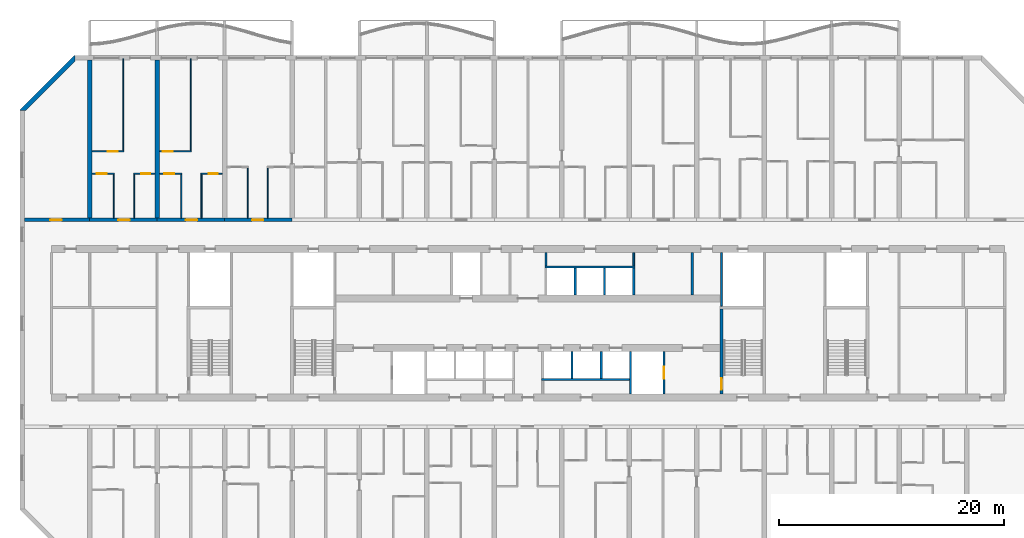
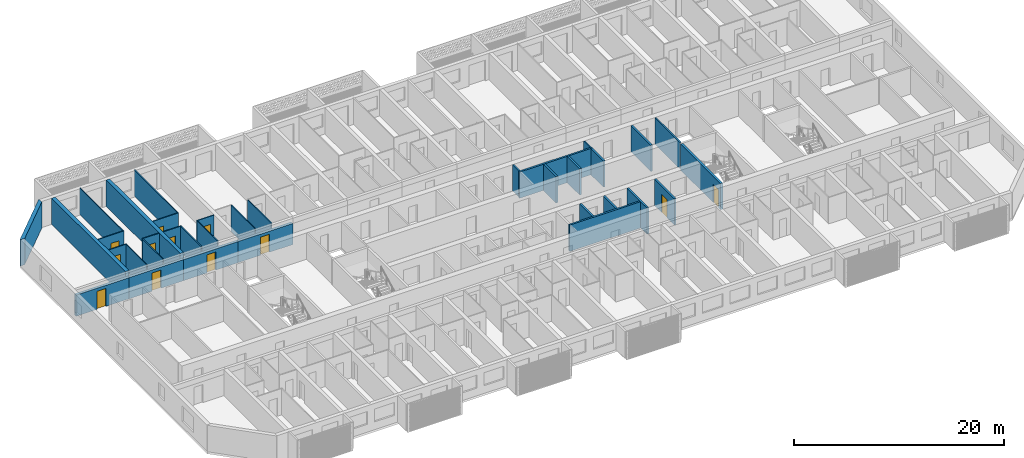
# One storey, part 9 of 39: 35 walls, 12 doors, 12 openings.
"""IFC4 building model written with IfcOpenShell, lengths in metres."""

import ifcopenshell
import ifcopenshell.guid

model = None  # the IFC model being written
_history = None  # IfcOwnerHistory: only IFC2X3 demands one
_inside = {}  # id of a spatial element -> (the spatial element, [elements in it])
_under = {}  # id of a project, library or spatial element -> (it, [spatial elements below it])
_declared = {}  # id of a project -> (the project, [libraries it declares])
_typed = {}  # id of a type object -> (the type object, [elements of that type])
_made_of = {}  # id of a material, layer set ... -> (it, [elements and type objects made of it])


def new_model(schema):
    """Start an empty IFC model of exactly this schema.

    Asked for "IFC4X3", IfcOpenShell would pick the latest addendum, in which some entities
    have other attributes; the version numbers below select the first issue.
    IFC2X3 requires an IfcOwnerHistory on every rooted entity: one is made here for all.
    """
    global model, _history
    if schema == "IFC4X3":
        model = ifcopenshell.file(schema_version=(4, 3, 0, 0))
    else:
        model = ifcopenshell.file(schema=schema)
    _inside.clear()
    _under.clear()
    _declared.clear()
    _typed.clear()
    _made_of.clear()
    _history = None
    if model.schema == "IFC2X3":
        org = make("IfcOrganization", Name="unknown")
        user = make(
            "IfcPersonAndOrganization",
            ThePerson=make("IfcPerson", FamilyName="unknown"),
            TheOrganization=org,
        )
        app = make(
            "IfcApplication",
            ApplicationDeveloper=org,
            Version="unknown",
            ApplicationFullName="unknown",
            ApplicationIdentifier="unknown",
        )
        _history = make(
            "IfcOwnerHistory",
            OwningUser=user,
            OwningApplication=app,
            ChangeAction="ADDED",
            CreationDate=0,
        )
    return model


def make(cls, **values):
    """One entity of the class cls with the attributes given. An attribute that is None is left unset."""
    return model.create_entity(
        cls, **{name: value for name, value in values.items() if value is not None}
    )


def rooted(cls, **values):
    """An entity with a GlobalId (a new one), such as an element, a storey or a relation."""
    return make(cls, GlobalId=ifcopenshell.guid.new(), OwnerHistory=_history, **values)


def si_unit(unit_type, name, prefix=None):
    """IfcSIUnit, for example si_unit("LENGTHUNIT", "METRE", prefix="MILLI")."""
    return make("IfcSIUnit", UnitType=unit_type, Prefix=prefix, Name=name)


def assignment(units):
    """IfcUnitAssignment: the units of a project."""
    return None if units is None else make("IfcUnitAssignment", Units=units)


def point(xyz):
    """IfcCartesianPoint."""
    return None if xyz is None else make("IfcCartesianPoint", Coordinates=xyz)


def direction(xyz):
    """IfcDirection."""
    return None if xyz is None else make("IfcDirection", DirectionRatios=xyz)


def frame(location, z_axis=None, x_axis=None):
    """IfcAxis2Placement3D, a coordinate frame: its origin and axes. An axis left out is left unset."""
    return make(
        "IfcAxis2Placement3D",
        Location=point(location),
        Axis=direction(z_axis),
        RefDirection=direction(x_axis),
    )


def frame_2d(location, x_axis=None):
    """IfcAxis2Placement2D, a coordinate frame in the plane: its origin and x axis."""
    return make(
        "IfcAxis2Placement2D", Location=point(location), RefDirection=direction(x_axis)
    )


def origin():
    """The frame at (0, 0, 0) with its axes left unset."""
    return frame((0.0, 0.0, 0.0))


def place(relative_to, where):
    """IfcLocalPlacement: puts the frame where relative to a parent placement (None: the world)."""
    return make(
        "IfcLocalPlacement", PlacementRelTo=relative_to, RelativePlacement=where
    )


def context(
    kind, dimensions, precision=None, world=None, true_north=None, identifier=None
):
    """IfcGeometricRepresentationContext, for example the 3D "Model" context."""
    return make(
        "IfcGeometricRepresentationContext",
        ContextIdentifier=identifier,
        ContextType=kind,
        CoordinateSpaceDimension=dimensions,
        Precision=precision,
        WorldCoordinateSystem=world,
        TrueNorth=true_north,
    )


def subcontext(parent, identifier, kind, view, scale=None):
    """IfcGeometricRepresentationSubContext, for example "Body" below "Model"."""
    return make(
        "IfcGeometricRepresentationSubContext",
        ContextIdentifier=identifier,
        ContextType=kind,
        ParentContext=parent,
        TargetScale=scale,
        TargetView=view,
    )


def project(units=None, contexts=None):
    """IfcProject with its units and contexts."""
    return rooted(
        "IfcProject",
        Name="project",
        RepresentationContexts=contexts,
        UnitsInContext=assignment(units),
    )


def spatial(cls, under=None, at=None, **own):
    """A site, building, storey or space (cls), placed at a placement, below another one or the project."""
    s = rooted(cls, ObjectPlacement=at, **own)
    if under is not None:
        _under.setdefault(under.id(), (under, []))[1].append(s)
    return s


def polyline(points):
    """IfcPolyline through the points."""
    return make("IfcPolyline", Points=[point(p) for p in points])


def profile(cls, at=None, kind="AREA", **sizes):
    """A parametric profile (cls). Its sizes go by their IFC names, for example OverallWidth=200.0."""
    return make(cls, ProfileType=kind, Position=at, **sizes)


def rectangle(**sizes):
    """IfcRectangleProfileDef."""
    return profile("IfcRectangleProfileDef", **sizes)


def outline(outer, holes=None, kind="AREA"):
    """IfcArbitraryClosedProfileDef: a profile drawn as a closed curve; with holes, ...WithVoids."""
    if holes is None:
        return make("IfcArbitraryClosedProfileDef", ProfileType=kind, OuterCurve=outer)
    return make(
        "IfcArbitraryProfileDefWithVoids",
        ProfileType=kind,
        OuterCurve=outer,
        InnerCurves=holes,
    )


def extrude(swept, where, along, depth):
    """IfcExtrudedAreaSolid: the profile swept, set in the frame where, extruded along a direction by depth."""
    return make(
        "IfcExtrudedAreaSolid",
        SweptArea=swept,
        Position=where,
        ExtrudedDirection=direction(along),
        Depth=depth,
    )


def shape(context_of_items, identifier, shape_type, items):
    """IfcShapeRepresentation: the items that make up one representation, for example the "Body"."""
    return make(
        "IfcShapeRepresentation",
        ContextOfItems=context_of_items,
        RepresentationIdentifier=identifier,
        RepresentationType=shape_type,
        Items=items,
    )


def material(Name=None, Category=None):
    """IfcMaterial."""
    return make("IfcMaterial", Name=Name, Category=Category)


def layer(
    of_material, thickness, ventilated=None, Name=None, Category=None, Priority=None
):
    """IfcMaterialLayer: one layer of a wall or slab, of a material (None: an air gap)."""
    return make(
        "IfcMaterialLayer",
        Material=of_material,
        LayerThickness=thickness,
        IsVentilated=ventilated,
        Name=Name,
        Category=Category,
        Priority=Priority,
    )


def layer_set(layers, Name=None):
    """IfcMaterialLayerSet."""
    return make("IfcMaterialLayerSet", MaterialLayers=layers, LayerSetName=Name)


def made_of(thing, what):
    """Note that an element or type object is made of a material, layer set ...; save() writes the relation."""
    if what is not None:
        _made_of.setdefault(what.id(), (what, []))[1].append(thing)
    return thing


def type_object(cls, material=None, **own):
    """A type object (cls), such as IfcWallType, which elements share."""
    return made_of(rooted(cls, **own), material)


def element(
    cls,
    number,
    at=None,
    inside=None,
    cuts=None,
    type_object=None,
    material=None,
    context=None,
    identifier="Body",
    shape_type=None,
    held_by="IfcProductDefinitionShape",
    body=None,
    shapes=None,
    **own,
):
    """One element of the class cls, such as IfcWall. Its Tag is "e" and its number.

    at: its placement. inside: the storey or other place that contains it. cuts: it is an
    opening in that element (IfcRelVoidsElement). A single representation is given by context,
    identifier, shape_type and body (its items); several are given by shapes. held_by: the class
    of the entity that holds the representations. save() writes the other relations.
    """
    e = rooted(cls, Tag="e%d" % number, ObjectPlacement=at, **own)
    if body is not None:
        shapes = [shape(context, identifier, shape_type, body)]
    if shapes is not None:
        e.Representation = make(held_by, Representations=shapes)
    if inside is not None:
        _inside.setdefault(inside.id(), (inside, []))[1].append(e)
    if cuts is not None:
        rooted(
            "IfcRelVoidsElement", RelatingBuildingElement=cuts, RelatedOpeningElement=e
        )
    if type_object is not None:
        _typed.setdefault(type_object.id(), (type_object, []))[1].append(e)
    return made_of(e, material)


def fill(opening, filler):
    """IfcRelFillsElement: the door or window that sits in an opening."""
    return rooted(
        "IfcRelFillsElement",
        RelatingOpeningElement=opening,
        RelatedBuildingElement=filler,
    )


def aggregate(whole, parts):
    """IfcRelAggregates: a whole, such as a stair, and the parts it consists of."""
    return rooted("IfcRelAggregates", RelatingObject=whole, RelatedObjects=parts)


def save(model, path):
    """Write the relations noted so far, then the file.

    IfcRelAggregates (storeys below a building ...), IfcRelContainedInSpatialStructure (elements
    in a storey), IfcRelDefinesByType, IfcRelAssociatesMaterial and IfcRelDeclares: one each for
    every whole, place, type object, material and project.
    """
    for whole, parts in _under.values():
        aggregate(whole, parts)
    for where, things in _inside.values():
        rooted(
            "IfcRelContainedInSpatialStructure",
            RelatedElements=things,
            RelatingStructure=where,
        )
    for kind, things in _typed.values():
        rooted("IfcRelDefinesByType", RelatedObjects=things, RelatingType=kind)
    for what, things in _made_of.values():
        rooted("IfcRelAssociatesMaterial", RelatedObjects=things, RelatingMaterial=what)
    for by, libraries in _declared.values():
        rooted("IfcRelDeclares", RelatingContext=by, RelatedDefinitions=libraries)
    model.write(path)


model = new_model("IFC4")

# Units and contexts
model_context = context("Model", 3, precision=1e-05, world=origin(), true_north=direction((0.0, 1.0)))
body_context = subcontext(model_context, "Body", "Model", "MODEL_VIEW")
ifc_project = project(units=[si_unit("LENGTHUNIT", "METRE"), si_unit("AREAUNIT", "SQUARE_METRE"), si_unit("VOLUMEUNIT", "CUBIC_METRE"), si_unit("PLANEANGLEUNIT", "RADIAN"), si_unit("MASSUNIT", "GRAM", prefix="KILO")], contexts=[model_context])

# Site, building, storey
site_placement = place(None, origin())
site = spatial("IfcSite", under=ifc_project, at=site_placement, CompositionType="ELEMENT")
building_placement = place(site_placement, origin())
building = spatial("IfcBuilding", under=site, at=building_placement, Name="Poui Terraces", CompositionType="ELEMENT")
storey_placement = place(building_placement, frame((0.0, 0.0, 59.699951171875)))
storey = spatial("IfcBuildingStorey", under=building, at=storey_placement, Name="L16", CompositionType="ELEMENT", Elevation=59.699951171875)

# Wall
ifc_material_1 = material(Name="Fire-rated plasterboard wall")
ifc_layer_1 = layer(ifc_material_1, 0.14990234375)
ifc_layer_set_1 = layer_set([ifc_layer_1], Name="Fire-rated plasterboard wall")
wall_type_1 = type_object("IfcWallType", Name="CORRIDOR WALL 150", PredefinedType="PARTITIONING", material=ifc_layer_set_1)
wall_1_placement = place(storey_placement, frame((52.60009765625, 26.300048828125, 0.0), z_axis=(0.0, 0.0, 1.0), x_axis=(0.0, 1.0, 0.0)))
element("IfcWall", 1, at=wall_1_placement, inside=storey, type_object=wall_type_1, Name="CORRIDOR WALL 150", PredefinedType="PARTITIONING", context=body_context, shape_type="SweptSolid", body=[
    extrude(rectangle(XDim=1.18994140625, YDim=0.14990234375, at=frame_2d((0.594970703125, 0.0))), origin(), (0.0, 0.0, 1.0), 3.050048828125),
])

# Wall, opening, door
ifc_material_2 = material(Name="Concrete 80 MPa", Category="concrete")
ifc_layer_2 = layer(ifc_material_2, 0.300048828125)
ifc_layer_set_2 = layer_set([ifc_layer_2], Name="Concrete 80 MPa")
wall_type_2 = type_object("IfcWallType", Name="CORRIDOR WALL 300 80MPa", PredefinedType="SHEAR", material=ifc_layer_set_2)
wall_2_placement = place(storey_placement, frame((6.199951171875, 30.39990234375, 0.0), z_axis=(0.0, 0.0, 1.0), x_axis=(1.0, 0.0, 0.0)))
wall_2 = element("IfcWall", 2, at=wall_2_placement, inside=storey, type_object=wall_type_2, Name="CORRIDOR WALL LINE E BAY 1", PredefinedType="SHEAR", context=body_context, shape_type="SweptSolid", body=[
    extrude(rectangle(XDim=5.800048828125, YDim=0.300048828125, at=frame_2d((2.89990234375, 0.0))), origin(), (0.0, 0.0, 1.0), 2.449951171875),
])
opening_1_placement = place(wall_2_placement, frame((2.300048828125, 0.0, 0.0)))
opening_1 = element("IfcOpeningElement", 3, at=opening_1_placement, cuts=wall_2, Name="Opening D100", PredefinedType="OPENING", context=body_context, shape_type="SweptSolid", body=[
    extrude(rectangle(XDim=1.0, YDim=2.10009765625, at=frame_2d((0.5, 1.050048828125))), frame((0.0, 0.16015625, 0.0), z_axis=(0.0, -1.0, 0.0), x_axis=(1.0, 0.0, 0.0)), (0.0, 0.0, 1.0), 0.320068359375),
])
ifc_material_3 = material(Name="Solid core timber door", Category="wood")
door_type_1 = type_object("IfcDoorType", Name="ACCESSIBLE INTERNAL DOOR 1000 X 2100", OperationType="NOTDEFINED", PredefinedType="DOOR", material=ifc_material_3)
door_1_placement = place(opening_1_placement, origin())
door_1 = element("IfcDoor", 4, at=door_1_placement, inside=storey, type_object=door_type_1, Name="ACCESSIBLE INTERNAL DOOR 032", OperationType="SINGLE_SWING_LEFT", OverallHeight=2.10009765625, OverallWidth=1.0, PredefinedType="DOOR", context=body_context, shape_type="SweptSolid", body=[
    extrude(rectangle(XDim=1.0, YDim=2.10009765625, at=frame_2d((0.5, 1.050048828125))), frame((0.0, 0.02490234375, 0.0), z_axis=(0.0, -1.0, 0.0), x_axis=(1.0, 0.0, 0.0)), (0.0, 0.0, 1.0), 0.050048828125),
])
fill(opening_1, door_1)

wall_3_placement = place(storey_placement, frame((12.0, 30.39990234375, 0.0), z_axis=(0.0, 0.0, 1.0), x_axis=(1.0, 0.0, 0.0)))
wall_3 = element("IfcWall", 5, at=wall_3_placement, inside=storey, type_object=wall_type_2, Name="CORRIDOR WALL LINE E BAY 2", PredefinedType="SHEAR", context=body_context, shape_type="SweptSolid", body=[
    extrude(rectangle(XDim=6.0, YDim=0.300048828125, at=frame_2d((3.0, 0.0))), origin(), (0.0, 0.0, 1.0), 2.449951171875),
])
opening_2_placement = place(wall_3_placement, frame((2.550048828125, 0.0, 0.0)))
opening_2 = element("IfcOpeningElement", 6, at=opening_2_placement, cuts=wall_3, Name="Opening FD30S", PredefinedType="OPENING", context=body_context, shape_type="SweptSolid", body=[
    extrude(rectangle(XDim=1.0, YDim=2.10009765625, at=frame_2d((0.5, 1.050048828125))), frame((0.0, 0.16015625, 0.0), z_axis=(0.0, -1.0, 0.0), x_axis=(1.0, 0.0, 0.0)), (0.0, 0.0, 1.0), 0.320068359375),
])
ifc_material_4 = material(Name="Steel fire door", Category="steel")
door_type_2 = type_object("IfcDoorType", Name="FLAT ENTRANCE DOOR 1000 X 2100", OperationType="NOTDEFINED", PredefinedType="DOOR", material=ifc_material_4)
door_2_placement = place(opening_2_placement, origin())
door_2 = element("IfcDoor", 7, at=door_2_placement, inside=storey, type_object=door_type_2, Name="FLAT ENTRANCE DOOR 035", OperationType="SINGLE_SWING_RIGHT", OverallHeight=2.10009765625, OverallWidth=1.0, PredefinedType="DOOR", context=body_context, shape_type="SweptSolid", body=[
    extrude(rectangle(XDim=1.0, YDim=2.10009765625, at=frame_2d((0.5, 1.050048828125))), frame((0.0, 0.02490234375, 0.0), z_axis=(0.0, -1.0, 0.0), x_axis=(1.0, 0.0, 0.0)), (0.0, 0.0, 1.0), 0.050048828125),
])
fill(opening_2, door_2)

wall_4_placement = place(storey_placement, frame((18.0, 30.39990234375, 0.0), z_axis=(0.0, 0.0, 1.0), x_axis=(1.0, 0.0, 0.0)))
wall_4 = element("IfcWall", 8, at=wall_4_placement, inside=storey, type_object=wall_type_2, Name="CORRIDOR WALL LINE E BAY 3", PredefinedType="SHEAR", context=body_context, shape_type="SweptSolid", body=[
    extrude(rectangle(XDim=6.0, YDim=0.300048828125, at=frame_2d((3.0, 0.0))), origin(), (0.0, 0.0, 1.0), 2.449951171875),
])
opening_3_placement = place(wall_4_placement, frame((2.550048828125, 0.0, 0.0)))
opening_3 = element("IfcOpeningElement", 9, at=opening_3_placement, cuts=wall_4, Name="Opening FD30S", PredefinedType="OPENING", context=body_context, shape_type="SweptSolid", body=[
    extrude(rectangle(XDim=1.0, YDim=2.10009765625, at=frame_2d((0.5, 1.050048828125))), frame((0.0, 0.16015625, 0.0), z_axis=(0.0, -1.0, 0.0), x_axis=(1.0, 0.0, 0.0)), (0.0, 0.0, 1.0), 0.320068359375),
])
door_3_placement = place(opening_3_placement, origin())
door_3 = element("IfcDoor", 10, at=door_3_placement, inside=storey, type_object=door_type_2, Name="FLAT ENTRANCE DOOR 039", OperationType="SINGLE_SWING_RIGHT", OverallHeight=2.10009765625, OverallWidth=1.0, PredefinedType="DOOR", context=body_context, shape_type="SweptSolid", body=[
    extrude(rectangle(XDim=1.0, YDim=2.10009765625, at=frame_2d((0.5, 1.050048828125))), frame((0.0, 0.02490234375, 0.0), z_axis=(0.0, -1.0, 0.0), x_axis=(1.0, 0.0, 0.0)), (0.0, 0.0, 1.0), 0.050048828125),
])
fill(opening_3, door_3)

wall_5_placement = place(storey_placement, frame((24.0, 30.39990234375, 0.0), z_axis=(0.0, 0.0, 1.0), x_axis=(1.0, 0.0, 0.0)))
wall_5 = element("IfcWall", 11, at=wall_5_placement, inside=storey, type_object=wall_type_2, Name="CORRIDOR WALL LINE E BAY 4", PredefinedType="SHEAR", context=body_context, shape_type="SweptSolid", body=[
    extrude(rectangle(XDim=6.0, YDim=0.300048828125, at=frame_2d((3.0, 0.0))), origin(), (0.0, 0.0, 1.0), 2.449951171875),
])
opening_4_placement = place(wall_5_placement, frame((2.449951171875, 0.0, 0.0)))
opening_4 = element("IfcOpeningElement", 12, at=opening_4_placement, cuts=wall_5, Name="Opening FD30S", PredefinedType="OPENING", context=body_context, shape_type="SweptSolid", body=[
    extrude(rectangle(XDim=1.0, YDim=2.10009765625, at=frame_2d((0.5, 1.050048828125))), frame((0.0, 0.16015625, 0.0), z_axis=(0.0, -1.0, 0.0), x_axis=(1.0, 0.0, 0.0)), (0.0, 0.0, 1.0), 0.320068359375),
])
door_4_placement = place(opening_4_placement, origin())
door_4 = element("IfcDoor", 13, at=door_4_placement, inside=storey, type_object=door_type_2, Name="FLAT ENTRANCE DOOR 043", OperationType="SINGLE_SWING_LEFT", OverallHeight=2.10009765625, OverallWidth=1.0, PredefinedType="DOOR", context=body_context, shape_type="SweptSolid", body=[
    extrude(rectangle(XDim=1.0, YDim=2.10009765625, at=frame_2d((0.5, 1.050048828125))), frame((0.0, 0.02490234375, 0.0), z_axis=(0.0, -1.0, 0.0), x_axis=(1.0, 0.0, 0.0)), (0.0, 0.0, 1.0), 0.050048828125),
])
fill(opening_4, door_4)

# Walls
ifc_layer_3 = layer(ifc_material_2, 0.39990234375)
ifc_layer_set_3 = layer_set([ifc_layer_3], Name="Concrete 80 MPa")
wall_type_3 = type_object("IfcWallType", Name="CROSS WALL 400 80MPa", PredefinedType="SHEAR", material=ifc_layer_set_3)
for number, where, z_axis, x_axis, name in (
    (14, (12.0, 30.550048828125, 0.0), (0.0, 0.0, 1.0), (0.0, 1.0, 0.0), "CROSS WALL LINE 3 NORTH"),
    (15, (18.0, 30.550048828125, 0.0), (0.0, 0.0, 1.0), (0.0, 1.0, 0.0), "CROSS WALL LINE 4 NORTH"),
):
    element("IfcWall", number, at=place(storey_placement, frame(where, z_axis=z_axis, x_axis=x_axis)), inside=storey, type_object=wall_type_3, Name=name, PredefinedType="SHEAR", context=body_context, shape_type="SweptSolid", body=[
        extrude(rectangle(XDim=14.050048828125, YDim=0.39990234375, at=frame_2d((7.02490234375, 0.0))), origin(), (0.0, 0.0, 1.0), 3.050048828125),
    ])

# Wall, opening, door
ifc_material_5 = material(Name="Plasterboard partition")
ifc_layer_4 = layer(ifc_material_5, 0.10009765625)
ifc_layer_set_4 = layer_set([ifc_layer_4], Name="Plasterboard partition")
wall_type_4 = type_object("IfcWallType", Name="FLAT PARTITION 100", PredefinedType="PARTITIONING", material=ifc_layer_set_4)
wall_6_placement = place(storey_placement, frame((12.2099609375, 34.5, 0.0), z_axis=(0.0, 0.0, 1.0), x_axis=(1.0, 0.0, 0.0)))
wall_6 = element("IfcWall", 16, at=wall_6_placement, inside=storey, type_object=wall_type_4, Name="FLAT PARTITION 100", PredefinedType="PARTITIONING", context=body_context, shape_type="SweptSolid", body=[
    extrude(rectangle(XDim=1.989990234375, YDim=0.10009765625, at=frame_2d((0.9951171875, 0.0))), origin(), (0.0, 0.0, 1.0), 3.050048828125),
])
opening_5_placement = place(wall_6_placement, frame((0.4150390625, 0.0, 0.0)))
opening_5 = element("IfcOpeningElement", 17, at=opening_5_placement, cuts=wall_6, Name="Opening D90", PredefinedType="OPENING", context=body_context, shape_type="SweptSolid", body=[
    extrude(rectangle(XDim=0.89990234375, YDim=2.10009765625, at=frame_2d((0.449951171875, 1.050048828125))), frame((0.0, 0.06005859375, 0.0), z_axis=(0.0, -1.0, 0.0), x_axis=(1.0, 0.0, 0.0)), (0.0, 0.0, 1.0), 0.1201171875),
])
door_type_3 = type_object("IfcDoorType", Name="INTERNAL DOOR 900 X 2100", OperationType="NOTDEFINED", PredefinedType="DOOR", material=ifc_material_3)
door_5_placement = place(opening_5_placement, frame((0.89990234375, 0.0, 0.0), z_axis=(0.0, 0.0, 1.0), x_axis=(-1.0, 0.0, 0.0)))
door_5 = element("IfcDoor", 18, at=door_5_placement, inside=storey, type_object=door_type_3, Name="INTERNAL DOOR 033", OperationType="SINGLE_SWING_LEFT", OverallHeight=2.10009765625, OverallWidth=0.89990234375, PredefinedType="DOOR", context=body_context, shape_type="SweptSolid", body=[
    extrude(rectangle(XDim=0.89990234375, YDim=2.10009765625, at=frame_2d((0.449951171875, 1.050048828125))), frame((0.0, 0.02490234375, 0.0), z_axis=(0.0, -1.0, 0.0), x_axis=(1.0, 0.0, 0.0)), (0.0, 0.0, 1.0), 0.050048828125),
])
fill(opening_5, door_5)

wall_7_placement = place(storey_placement, frame((15.89990234375, 34.5, 0.0), z_axis=(0.0, 0.0, 1.0), x_axis=(1.0, 0.0, 0.0)))
wall_7 = element("IfcWall", 19, at=wall_7_placement, inside=storey, type_object=wall_type_4, Name="FLAT PARTITION 100", PredefinedType="PARTITIONING", context=body_context, shape_type="SweptSolid", body=[
    extrude(rectangle(XDim=1.89013671875, YDim=0.10009765625, at=frame_2d((0.945068359375, 0.0))), origin(), (0.0, 0.0, 1.0), 3.050048828125),
])
opening_6_placement = place(wall_7_placement, frame((0.675048828125, 0.0, 0.0)))
opening_6 = element("IfcOpeningElement", 20, at=opening_6_placement, cuts=wall_7, Name="Opening D80", PredefinedType="OPENING", context=body_context, shape_type="SweptSolid", body=[
    extrude(rectangle(XDim=0.800048828125, YDim=2.10009765625, at=frame_2d((0.39990234375, 1.050048828125))), frame((0.0, 0.06005859375, 0.0), z_axis=(0.0, -1.0, 0.0), x_axis=(1.0, 0.0, 0.0)), (0.0, 0.0, 1.0), 0.1201171875),
])
door_type_4 = type_object("IfcDoorType", Name="BATHROOM, LAUNDRY AND STORE DOOR 800 X 2100", OperationType="NOTDEFINED", PredefinedType="DOOR", material=ifc_material_3)
door_6_placement = place(opening_6_placement, frame((0.800048828125, 0.0, 0.0), z_axis=(0.0, 0.0, 1.0), x_axis=(-1.0, 0.0, 0.0)))
door_6 = element("IfcDoor", 21, at=door_6_placement, inside=storey, type_object=door_type_4, Name="BATHROOM, LAUNDRY AND STORE DOOR 036", OperationType="SINGLE_SWING_RIGHT", OverallHeight=2.10009765625, OverallWidth=0.800048828125, PredefinedType="DOOR", context=body_context, shape_type="SweptSolid", body=[
    extrude(rectangle(XDim=0.800048828125, YDim=2.10009765625, at=frame_2d((0.39990234375, 1.050048828125))), frame((0.0, 0.02490234375, 0.0), z_axis=(0.0, -1.0, 0.0), x_axis=(1.0, 0.0, 0.0)), (0.0, 0.0, 1.0), 0.050048828125),
])
fill(opening_6, door_6)

wall_8_placement = place(storey_placement, frame((18.2099609375, 34.5, 0.0), z_axis=(0.0, 0.0, 1.0), x_axis=(1.0, 0.0, 0.0)))
wall_8 = element("IfcWall", 22, at=wall_8_placement, inside=storey, type_object=wall_type_4, Name="FLAT PARTITION 100", PredefinedType="PARTITIONING", context=body_context, shape_type="SweptSolid", body=[
    extrude(rectangle(XDim=1.989990234375, YDim=0.10009765625, at=frame_2d((0.9951171875, 0.0))), origin(), (0.0, 0.0, 1.0), 3.050048828125),
])
opening_7_placement = place(wall_8_placement, frame((0.4150390625, 0.0, 0.0)))
opening_7 = element("IfcOpeningElement", 23, at=opening_7_placement, cuts=wall_8, Name="Opening D90", PredefinedType="OPENING", context=body_context, shape_type="SweptSolid", body=[
    extrude(rectangle(XDim=0.89990234375, YDim=2.10009765625, at=frame_2d((0.449951171875, 1.050048828125))), frame((0.0, 0.06005859375, 0.0), z_axis=(0.0, -1.0, 0.0), x_axis=(1.0, 0.0, 0.0)), (0.0, 0.0, 1.0), 0.1201171875),
])
door_7_placement = place(opening_7_placement, frame((0.89990234375, 0.0, 0.0), z_axis=(0.0, 0.0, 1.0), x_axis=(-1.0, 0.0, 0.0)))
door_7 = element("IfcDoor", 24, at=door_7_placement, inside=storey, type_object=door_type_3, Name="INTERNAL DOOR 038", OperationType="SINGLE_SWING_RIGHT", OverallHeight=2.10009765625, OverallWidth=0.89990234375, PredefinedType="DOOR", context=body_context, shape_type="SweptSolid", body=[
    extrude(rectangle(XDim=0.89990234375, YDim=2.10009765625, at=frame_2d((0.449951171875, 1.050048828125))), frame((0.0, 0.02490234375, 0.0), z_axis=(0.0, -1.0, 0.0), x_axis=(1.0, 0.0, 0.0)), (0.0, 0.0, 1.0), 0.050048828125),
])
fill(opening_7, door_7)

wall_9_placement = place(storey_placement, frame((21.89990234375, 34.5, 0.0), z_axis=(0.0, 0.0, 1.0), x_axis=(1.0, 0.0, 0.0)))
wall_9 = element("IfcWall", 25, at=wall_9_placement, inside=storey, type_object=wall_type_4, Name="FLAT PARTITION 100", PredefinedType="PARTITIONING", context=body_context, shape_type="SweptSolid", body=[
    extrude(rectangle(XDim=1.89013671875, YDim=0.10009765625, at=frame_2d((0.945068359375, 0.0))), origin(), (0.0, 0.0, 1.0), 3.050048828125),
])
opening_8_placement = place(wall_9_placement, frame((0.675048828125, 0.0, 0.0)))
opening_8 = element("IfcOpeningElement", 26, at=opening_8_placement, cuts=wall_9, Name="Opening D80", PredefinedType="OPENING", context=body_context, shape_type="SweptSolid", body=[
    extrude(rectangle(XDim=0.800048828125, YDim=2.10009765625, at=frame_2d((0.39990234375, 1.050048828125))), frame((0.0, 0.06005859375, 0.0), z_axis=(0.0, -1.0, 0.0), x_axis=(1.0, 0.0, 0.0)), (0.0, 0.0, 1.0), 0.1201171875),
])
door_8_placement = place(opening_8_placement, frame((0.800048828125, 0.0, 0.0), z_axis=(0.0, 0.0, 1.0), x_axis=(-1.0, 0.0, 0.0)))
door_8 = element("IfcDoor", 27, at=door_8_placement, inside=storey, type_object=door_type_4, Name="BATHROOM, LAUNDRY AND STORE DOOR 040", OperationType="SINGLE_SWING_LEFT", OverallHeight=2.10009765625, OverallWidth=0.800048828125, PredefinedType="DOOR", context=body_context, shape_type="SweptSolid", body=[
    extrude(rectangle(XDim=0.800048828125, YDim=2.10009765625, at=frame_2d((0.39990234375, 1.050048828125))), frame((0.0, 0.02490234375, 0.0), z_axis=(0.0, -1.0, 0.0), x_axis=(1.0, 0.0, 0.0)), (0.0, 0.0, 1.0), 0.050048828125),
])
fill(opening_8, door_8)

wall_10_placement = place(storey_placement, frame((12.2099609375, 36.5, 0.0), z_axis=(0.0, 0.0, 1.0), x_axis=(1.0, 0.0, 0.0)))
wall_10 = element("IfcWall", 28, at=wall_10_placement, inside=storey, type_object=wall_type_4, Name="FLAT PARTITION 100", PredefinedType="PARTITIONING", context=body_context, shape_type="SweptSolid", body=[
    extrude(rectangle(XDim=2.840087890625, YDim=0.10009765625, at=frame_2d((1.419921875, 0.0))), origin(), (0.0, 0.0, 1.0), 3.050048828125),
])
opening_9_placement = place(wall_10_placement, frame((1.389892578125, 0.0, 0.0)))
opening_9 = element("IfcOpeningElement", 29, at=opening_9_placement, cuts=wall_10, Name="Opening D90", PredefinedType="OPENING", context=body_context, shape_type="SweptSolid", body=[
    extrude(rectangle(XDim=0.89990234375, YDim=2.10009765625, at=frame_2d((0.449951171875, 1.050048828125))), frame((0.0, 0.06005859375, 0.0), z_axis=(0.0, -1.0, 0.0), x_axis=(1.0, 0.0, 0.0)), (0.0, 0.0, 1.0), 0.1201171875),
])
door_9_placement = place(opening_9_placement, frame((0.89990234375, 0.0, 0.0), z_axis=(0.0, 0.0, 1.0), x_axis=(-1.0, 0.0, 0.0)))
door_9 = element("IfcDoor", 30, at=door_9_placement, inside=storey, type_object=door_type_3, Name="INTERNAL DOOR 034", OperationType="SINGLE_SWING_RIGHT", OverallHeight=2.10009765625, OverallWidth=0.89990234375, PredefinedType="DOOR", context=body_context, shape_type="SweptSolid", body=[
    extrude(rectangle(XDim=0.89990234375, YDim=2.10009765625, at=frame_2d((0.449951171875, 1.050048828125))), frame((0.0, 0.02490234375, 0.0), z_axis=(0.0, -1.0, 0.0), x_axis=(1.0, 0.0, 0.0)), (0.0, 0.0, 1.0), 0.050048828125),
])
fill(opening_9, door_9)

wall_11_placement = place(storey_placement, frame((18.2099609375, 36.5, 0.0), z_axis=(0.0, 0.0, 1.0), x_axis=(1.0, 0.0, 0.0)))
wall_11 = element("IfcWall", 31, at=wall_11_placement, inside=storey, type_object=wall_type_4, Name="FLAT PARTITION 100", PredefinedType="PARTITIONING", context=body_context, shape_type="SweptSolid", body=[
    extrude(rectangle(XDim=2.840087890625, YDim=0.10009765625, at=frame_2d((1.419921875, 0.0))), origin(), (0.0, 0.0, 1.0), 3.050048828125),
])
opening_10_placement = place(wall_11_placement, frame((0.2900390625, 0.0, 0.0)))
opening_10 = element("IfcOpeningElement", 32, at=opening_10_placement, cuts=wall_11, Name="Opening D90", PredefinedType="OPENING", context=body_context, shape_type="SweptSolid", body=[
    extrude(rectangle(XDim=0.89990234375, YDim=2.10009765625, at=frame_2d((0.449951171875, 1.050048828125))), frame((0.0, 0.06005859375, 0.0), z_axis=(0.0, -1.0, 0.0), x_axis=(1.0, 0.0, 0.0)), (0.0, 0.0, 1.0), 0.1201171875),
])
door_10_placement = place(opening_10_placement, frame((0.89990234375, 0.0, 0.0), z_axis=(0.0, 0.0, 1.0), x_axis=(-1.0, 0.0, 0.0)))
door_10 = element("IfcDoor", 33, at=door_10_placement, inside=storey, type_object=door_type_3, Name="INTERNAL DOOR 037", OperationType="SINGLE_SWING_LEFT", OverallHeight=2.10009765625, OverallWidth=0.89990234375, PredefinedType="DOOR", context=body_context, shape_type="SweptSolid", body=[
    extrude(rectangle(XDim=0.89990234375, YDim=2.10009765625, at=frame_2d((0.449951171875, 1.050048828125))), frame((0.0, 0.02490234375, 0.0), z_axis=(0.0, -1.0, 0.0), x_axis=(1.0, 0.0, 0.0)), (0.0, 0.0, 1.0), 0.050048828125),
])
fill(opening_10, door_10)

# Walls
wall_12_placement = place(storey_placement, frame((14.14990234375, 30.56005859375, 0.0), z_axis=(0.0, 0.0, 1.0), x_axis=(0.0, 1.0, 0.0)))
element("IfcWall", 34, at=wall_12_placement, inside=storey, type_object=wall_type_4, Name="FLAT PARTITION 100", PredefinedType="PARTITIONING", context=body_context, shape_type="SweptSolid", body=[
    extrude(rectangle(XDim=3.889892578125, YDim=0.10009765625, at=frame_2d((1.94482421875, 0.0))), origin(), (0.0, 0.0, 1.0), 3.050048828125),
])
wall_13_placement = place(storey_placement, frame((15.0, 36.550048828125, 0.0), z_axis=(0.0, 0.0, 1.0), x_axis=(0.0, 1.0, 0.0)))
element("IfcWall", 35, at=wall_13_placement, inside=storey, type_object=wall_type_4, Name="FLAT PARTITION 100", PredefinedType="PARTITIONING", context=body_context, shape_type="SweptSolid", body=[
    extrude(rectangle(XDim=8.18994140625, YDim=0.10009765625, at=frame_2d((4.094970703125, 0.0))), origin(), (0.0, 0.0, 1.0), 3.050048828125),
])
for number, where, z_axis, x_axis, name in (
    (36, (15.949951171875, 30.56005859375, 0.0), (0.0, 0.0, 1.0), (0.0, 1.0, 0.0), "FLAT PARTITION 100"),
    (37, (20.14990234375, 30.56005859375, 0.0), (0.0, 0.0, 1.0), (0.0, 1.0, 0.0), "FLAT PARTITION 100"),
):
    element("IfcWall", number, at=place(storey_placement, frame(where, z_axis=z_axis, x_axis=x_axis)), inside=storey, type_object=wall_type_4, Name=name, PredefinedType="PARTITIONING", context=body_context, shape_type="SweptSolid", body=[
        extrude(rectangle(XDim=3.889892578125, YDim=0.10009765625, at=frame_2d((1.94482421875, 0.0))), origin(), (0.0, 0.0, 1.0), 3.050048828125),
    ])
wall_14_placement = place(storey_placement, frame((21.0, 36.550048828125, 0.0), z_axis=(0.0, 0.0, 1.0), x_axis=(0.0, 1.0, 0.0)))
element("IfcWall", 38, at=wall_14_placement, inside=storey, type_object=wall_type_4, Name="FLAT PARTITION 100", PredefinedType="PARTITIONING", context=body_context, shape_type="SweptSolid", body=[
    extrude(rectangle(XDim=8.18994140625, YDim=0.10009765625, at=frame_2d((4.094970703125, 0.0))), origin(), (0.0, 0.0, 1.0), 3.050048828125),
])
wall_15_placement = place(storey_placement, frame((21.949951171875, 30.56005859375, 0.0), z_axis=(0.0, 0.0, 1.0), x_axis=(0.0, 1.0, 0.0)))
element("IfcWall", 39, at=wall_15_placement, inside=storey, type_object=wall_type_4, Name="FLAT PARTITION 100", PredefinedType="PARTITIONING", context=body_context, shape_type="SweptSolid", body=[
    extrude(rectangle(XDim=3.889892578125, YDim=0.10009765625, at=frame_2d((1.94482421875, 0.0))), origin(), (0.0, 0.0, 1.0), 3.050048828125),
])
for number, where, z_axis, x_axis, name in (
    (40, (26.050048828125, 30.56005859375, 0.0), (0.0, 0.0, 1.0), (0.0, 1.0, 0.0), "FLAT PARTITION 100"),
    (41, (27.85009765625, 30.56005859375, 0.0), (0.0, 0.0, 1.0), (0.0, 1.0, 0.0), "FLAT PARTITION 100"),
):
    element("IfcWall", number, at=place(storey_placement, frame(where, z_axis=z_axis, x_axis=x_axis)), inside=storey, type_object=wall_type_4, Name=name, PredefinedType="PARTITIONING", context=body_context, shape_type="SweptSolid", body=[
        extrude(rectangle(XDim=4.489990234375, YDim=0.10009765625, at=frame_2d((2.2451171875, 0.0))), origin(), (0.0, 0.0, 1.0), 3.050048828125),
    ])
ifc_layer_5 = layer(ifc_material_5, 0.14990234375)
ifc_layer_set_5 = layer_set([ifc_layer_5], Name="Plasterboard partition")
wall_type_5 = type_object("IfcWallType", Name="PARTITION WALL 150", PredefinedType="PARTITIONING", material=ifc_layer_set_5)
wall_16_placement = place(storey_placement, frame((60.39990234375, 26.300048828125, 0.0), z_axis=(0.0, 0.0, 1.0), x_axis=(0.0, 1.0, 0.0)))
element("IfcWall", 42, at=wall_16_placement, inside=storey, type_object=wall_type_5, Name="PARTITION WALL 150", PredefinedType="PARTITIONING", context=body_context, shape_type="SweptSolid", body=[
    extrude(rectangle(XDim=1.18994140625, YDim=0.14990234375, at=frame_2d((0.594970703125, 0.0))), origin(), (0.0, 0.0, 1.0), 3.050048828125),
])
ifc_material_6 = material(Name="Fire-rated masonry wall", Category="masonry")
ifc_layer_6 = layer(ifc_material_6, 0.199951171875)
ifc_layer_set_6 = layer_set([ifc_layer_6], Name="Fire-rated masonry wall")
wall_type_6 = type_object("IfcWallType", Name="PLANT ROOM WALL 200", PredefinedType="PARTITIONING", material=ifc_layer_set_6)
wall_17_placement = place(storey_placement, frame((65.60009765625, 23.7099609375, 0.0), z_axis=(0.0, 0.0, 1.0), x_axis=(0.0, 1.0, 0.0)))
element("IfcWall", 43, at=wall_17_placement, inside=storey, type_object=wall_type_6, Name="PLANT ROOM WALL 200", PredefinedType="PARTITIONING", context=body_context, shape_type="SweptSolid", body=[
    extrude(rectangle(XDim=3.780029296875, YDim=0.199951171875, at=frame_2d((1.89013671875, 0.0))), origin(), (0.0, 0.0, 1.0), 3.050048828125),
])
ifc_material_7 = material(Name="Fire-rated plasterboard riser wall")
ifc_layer_7 = layer(ifc_material_7, 0.14990234375)
ifc_layer_set_7 = layer_set([ifc_layer_7], Name="Fire-rated plasterboard riser wall")
wall_type_7 = type_object("IfcWallType", Name="RISER WALL 150", PredefinedType="PARTITIONING", material=ifc_layer_set_7)
wall_18_placement = place(storey_placement, frame((68.199951171875, 22.735107421875, 0.0), z_axis=(0.0, 0.0, 1.0), x_axis=(0.0, 1.0, 0.0)))
element("IfcWall", 44, at=wall_18_placement, inside=storey, type_object=wall_type_7, Name="RISER WALL 150", PredefinedType="PARTITIONING", context=body_context, shape_type="SweptSolid", body=[
    extrude(rectangle(XDim=4.7548828125, YDim=0.14990234375, at=frame_2d((2.37744140625, 0.0))), origin(), (0.0, 0.0, 1.0), 3.050048828125),
])
ifc_material_8 = material(Name="Fire-rated masonry shaft wall", Category="masonry")
ifc_layer_8 = layer(ifc_material_8, 0.199951171875)
ifc_layer_set_8 = layer_set([ifc_layer_8], Name="Fire-rated masonry shaft wall")
wall_type_8 = type_object("IfcWallType", Name="SHAFT WALL 200", PredefinedType="PARTITIONING", material=ifc_layer_set_8)
wall_19_placement = place(storey_placement, frame((52.199951171875, 16.199951171875, 0.0), z_axis=(0.0, 0.0, 1.0), x_axis=(1.0, 0.0, 0.0)))
element("IfcWall", 45, at=wall_19_placement, inside=storey, type_object=wall_type_8, Name="SHAFT WALL 200", PredefinedType="PARTITIONING", context=body_context, shape_type="SweptSolid", body=[
    extrude(rectangle(XDim=7.800048828125, YDim=0.199951171875, at=frame_2d((3.89990234375, 0.0))), origin(), (0.0, 0.0, 1.0), 3.050048828125),
])
wall_20_placement = place(storey_placement, frame((52.5, 26.199951171875, 0.0), z_axis=(0.0, 0.0, 1.0), x_axis=(1.0, 0.0, 0.0)))
element("IfcWall", 46, at=wall_20_placement, inside=storey, type_object=wall_type_8, Name="SHAFT WALL 200", PredefinedType="PARTITIONING", context=body_context, shape_type="SweptSolid", body=[
    extrude(rectangle(XDim=8.0, YDim=0.199951171875, at=frame_2d((4.0, 0.0))), origin(), (0.0, 0.0, 1.0), 3.050048828125),
])
wall_21_placement = place(storey_placement, frame((54.89990234375, 16.300048828125, 0.0), z_axis=(0.0, 0.0, 1.0), x_axis=(0.0, 1.0, 0.0)))
element("IfcWall", 47, at=wall_21_placement, inside=storey, type_object=wall_type_8, Name="SHAFT WALL 200", PredefinedType="PARTITIONING", context=body_context, shape_type="SweptSolid", body=[
    extrude(rectangle(XDim=2.389892578125, YDim=0.199951171875, at=frame_2d((1.19482421875, 0.0))), origin(), (0.0, 0.0, 1.0), 3.050048828125),
])
wall_22_placement = place(storey_placement, frame((55.199951171875, 23.7099609375, 0.0), z_axis=(0.0, 0.0, 1.0), x_axis=(0.0, 1.0, 0.0)))
element("IfcWall", 48, at=wall_22_placement, inside=storey, type_object=wall_type_8, Name="SHAFT WALL 200", PredefinedType="PARTITIONING", context=body_context, shape_type="SweptSolid", body=[
    extrude(rectangle(XDim=2.39013671875, YDim=0.199951171875, at=frame_2d((1.195068359375, 0.0))), origin(), (0.0, 0.0, 1.0), 3.050048828125),
])
wall_23_placement = place(storey_placement, frame((57.5, 16.300048828125, 0.0), z_axis=(0.0, 0.0, 1.0), x_axis=(0.0, 1.0, 0.0)))
element("IfcWall", 49, at=wall_23_placement, inside=storey, type_object=wall_type_8, Name="SHAFT WALL 200", PredefinedType="PARTITIONING", context=body_context, shape_type="SweptSolid", body=[
    extrude(rectangle(XDim=2.389892578125, YDim=0.199951171875, at=frame_2d((1.19482421875, 0.0))), origin(), (0.0, 0.0, 1.0), 3.050048828125),
])
wall_24_placement = place(storey_placement, frame((57.800048828125, 23.7099609375, 0.0), z_axis=(0.0, 0.0, 1.0), x_axis=(0.0, 1.0, 0.0)))
element("IfcWall", 50, at=wall_24_placement, inside=storey, type_object=wall_type_8, Name="SHAFT WALL 200", PredefinedType="PARTITIONING", context=body_context, shape_type="SweptSolid", body=[
    extrude(rectangle(XDim=2.39013671875, YDim=0.199951171875, at=frame_2d((1.195068359375, 0.0))), origin(), (0.0, 0.0, 1.0), 3.050048828125),
])
wall_25_placement = place(storey_placement, frame((60.10009765625, 14.909912109375, 0.0), z_axis=(0.0, 0.0, 1.0), x_axis=(0.0, 1.0, 0.0)))
element("IfcWall", 51, at=wall_25_placement, inside=storey, type_object=wall_type_8, Name="SHAFT WALL 200", PredefinedType="PARTITIONING", context=body_context, shape_type="SweptSolid", body=[
    extrude(rectangle(XDim=3.780029296875, YDim=0.199951171875, at=frame_2d((1.89013671875, 0.0))), origin(), (0.0, 0.0, 1.0), 3.050048828125),
])
wall_26_placement = place(storey_placement, frame((60.39990234375, 23.7099609375, 0.0), z_axis=(0.0, 0.0, 1.0), x_axis=(0.0, 1.0, 0.0)))
element("IfcWall", 52, at=wall_26_placement, inside=storey, type_object=wall_type_8, Name="SHAFT WALL 200", PredefinedType="PARTITIONING", context=body_context, shape_type="SweptSolid", body=[
    extrude(rectangle(XDim=2.39013671875, YDim=0.199951171875, at=frame_2d((1.195068359375, 0.0))), origin(), (0.0, 0.0, 1.0), 3.050048828125),
])

# Wall, opening, door
wall_27_placement = place(storey_placement, frame((63.10009765625, 14.909912109375, 0.0), z_axis=(0.0, 0.0, 1.0), x_axis=(0.0, 1.0, 0.0)))
wall_27 = element("IfcWall", 53, at=wall_27_placement, inside=storey, type_object=wall_type_8, Name="SHAFT WALL 200", PredefinedType="PARTITIONING", context=body_context, shape_type="SweptSolid", body=[
    extrude(rectangle(XDim=3.780029296875, YDim=0.199951171875, at=frame_2d((1.89013671875, 0.0))), origin(), (0.0, 0.0, 1.0), 3.050048828125),
])
opening_11_placement = place(wall_27_placement, frame((1.340087890625, 0.0, 0.0)))
opening_11 = element("IfcOpeningElement", 54, at=opening_11_placement, cuts=wall_27, Name="Opening LD", PredefinedType="OPENING", context=body_context, shape_type="SweptSolid", body=[
    extrude(rectangle(XDim=1.10009765625, YDim=2.10009765625, at=frame_2d((0.550048828125, 1.050048828125))), frame((0.0, 0.10986328125, 0.0), z_axis=(0.0, -1.0, 0.0), x_axis=(1.0, 0.0, 0.0)), (0.0, 0.0, 1.0), 0.219970703125),
])
ifc_material_9 = material(Name="Stainless steel sliding door", Category="steel")
door_type_5 = type_object("IfcDoorType", Name="LIFT LANDING DOOR 1100 X 2100", OperationType="DOUBLE_DOOR_SLIDING", PredefinedType="DOOR", material=ifc_material_9)
door_11_placement = place(opening_11_placement, origin())
door_11 = element("IfcDoor", 55, at=door_11_placement, inside=storey, type_object=door_type_5, Name="LANDING DOOR", OperationType="DOUBLE_DOOR_SLIDING", OverallHeight=2.10009765625, OverallWidth=1.10009765625, PredefinedType="DOOR", context=body_context, shape_type="SweptSolid", body=[
    extrude(rectangle(XDim=1.10009765625, YDim=2.10009765625, at=frame_2d((0.550048828125, 1.050048828125))), frame((0.0, 0.02490234375, 0.0), z_axis=(0.0, -1.0, 0.0), x_axis=(1.0, 0.0, 0.0)), (0.0, 0.0, 1.0), 0.050048828125),
])
fill(opening_11, door_11)

ifc_layer_9 = layer(ifc_material_2, 0.25)
ifc_layer_set_9 = layer_set([ifc_layer_9], Name="Concrete 80 MPa")
wall_type_9 = type_object("IfcWallType", Name="STAIR CORE WALL 250 80 MPA", PredefinedType="SOLIDWALL", material=ifc_layer_set_9)
wall_28_placement = place(storey_placement, frame((68.199951171875, 14.89990234375, 0.0), z_axis=(0.0, 0.0, 1.0), x_axis=(0.0, 1.0, 0.0)))
wall_28 = element("IfcWall", 56, at=wall_28_placement, inside=storey, type_object=wall_type_9, Name="STAIR CORE WALL", PredefinedType="SOLIDWALL", context=body_context, shape_type="SweptSolid", body=[
    extrude(rectangle(XDim=7.5751953125, YDim=0.25, at=frame_2d((3.78759765625, 0.0))), origin(), (0.0, 0.0, 1.0), 3.050048828125),
])
opening_12_placement = place(wall_28_placement, frame((0.39990234375, 0.0, 0.0)))
opening_12 = element("IfcOpeningElement", 57, at=opening_12_placement, cuts=wall_28, Name="Opening FD60S", PredefinedType="OPENING", context=body_context, shape_type="SweptSolid", body=[
    extrude(rectangle(XDim=1.0, YDim=2.10009765625, at=frame_2d((0.5, 1.050048828125))), frame((0.0, 0.135009765625, 0.0), z_axis=(0.0, -1.0, 0.0), x_axis=(1.0, 0.0, 0.0)), (0.0, 0.0, 1.0), 0.27001953125),
])
door_type_6 = type_object("IfcDoorType", Name="STAIR DOOR 1000 X 2100", OperationType="NOTDEFINED", PredefinedType="DOOR", material=ifc_material_4)
door_12_placement = place(opening_12_placement, frame((1.0, 0.0, 0.0), z_axis=(0.0, 0.0, 1.0), x_axis=(-1.0, 0.0, 0.0)))
door_12 = element("IfcDoor", 58, at=door_12_placement, inside=storey, type_object=door_type_6, Name="STAIR DOOR 136", OperationType="SINGLE_SWING_LEFT", OverallHeight=2.10009765625, OverallWidth=1.0, PredefinedType="DOOR", context=body_context, shape_type="SweptSolid", body=[
    extrude(rectangle(XDim=1.0, YDim=2.10009765625, at=frame_2d((0.5, 1.050048828125))), frame((0.0, 0.02490234375, 0.0), z_axis=(0.0, -1.0, 0.0), x_axis=(1.0, 0.0, 0.0)), (0.0, 0.0, 1.0), 0.050048828125),
])
fill(opening_12, door_12)

# Wall
ifc_material_10 = material(Name="Precast concrete 40 MPa", Category="concrete")
ifc_layer_10 = layer(ifc_material_10, 0.39990234375)
ifc_layer_set_10 = layer_set([ifc_layer_10], Name="Precast concrete 40 MPa")
wall_type_10 = type_object("IfcWallType", Name="TERRACOTTA CLAD CHAMFER WALL 400", PredefinedType="STANDARD", material=ifc_layer_set_10)
wall_29_placement = place(storey_placement, origin())
element("IfcWall", 59, at=wall_29_placement, inside=storey, type_object=wall_type_10, Name="CHAMFER WALL CH05", PredefinedType="STANDARD", context=body_context, shape_type="SweptSolid", body=[
    extrude(outline(polyline([(10.682861328125, 45.0), (10.60009765625, 45.0), (5.800048828125, 40.199951171875), (5.800048828125, 40.1171875), (6.28271484375, 40.1171875), (10.682861328125, 44.51708984375), (10.682861328125, 45.0)])), origin(), (0.0, 0.0, 1.0), 3.050048828125),
])

save(model, "model.ifc")
